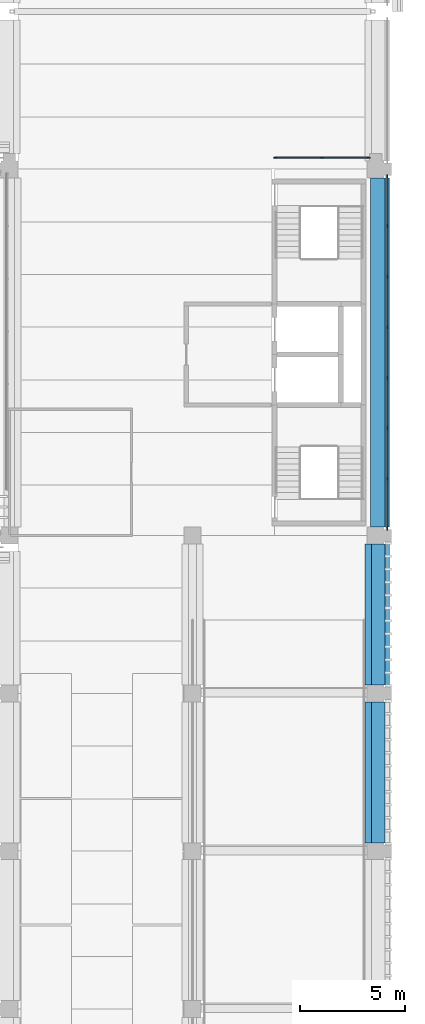
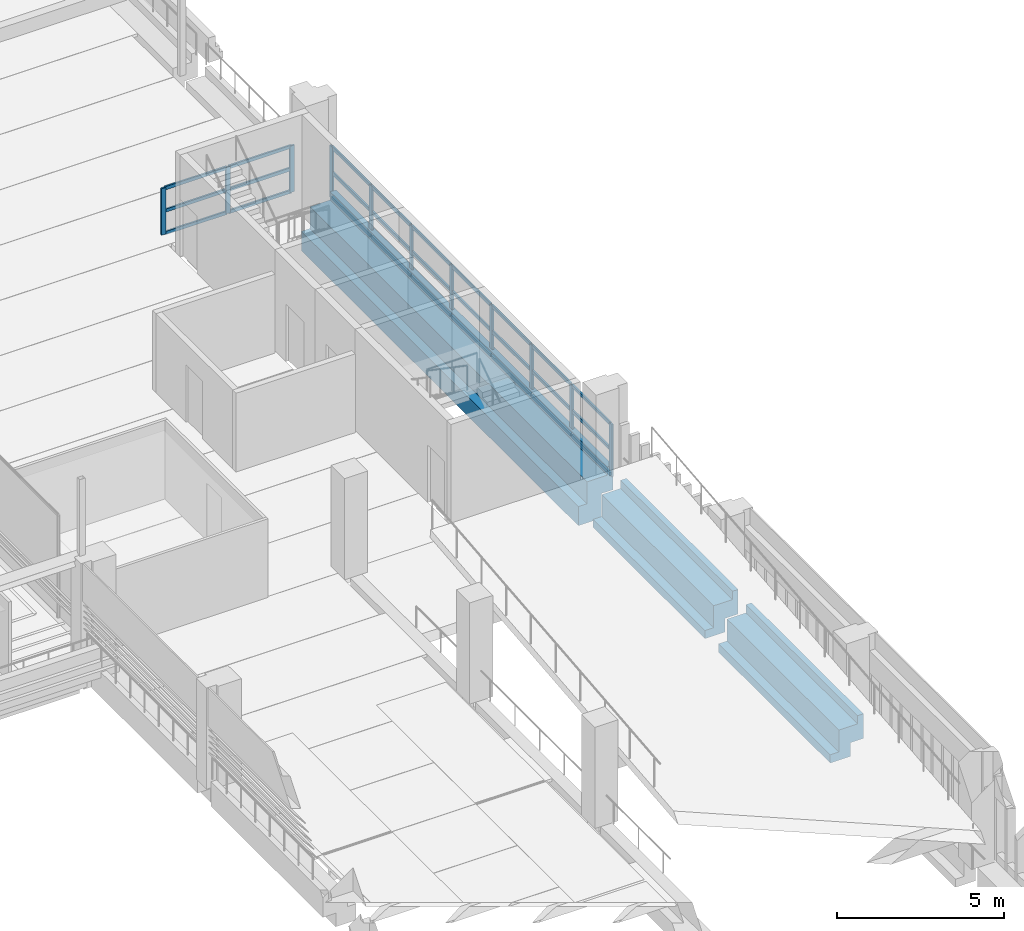
# One storey, part 27 of 62: 38 members, 3 beams, 2 elements without a shape of their own.
"""IFC4 building model written with IfcOpenShell, lengths in metres."""

from ifc_helpers import new_model, si_unit, direction, frame, origin, origin_2d, place, context, subcontext, project, spatial, polyline, rectangle, outline, extrude, material, layer, layer_set, material_profile, profile_set, type_object, element, aggregate, save


model = new_model("IFC4")

# Units and contexts
model_context = context("Model", 3, precision=1e-05, world=origin(), true_north=direction((0.0, 1.0)))
body_context = subcontext(model_context, "Body", "Model", "MODEL_VIEW")
ifc_project = project(units=[si_unit("LENGTHUNIT", "METRE"), si_unit("AREAUNIT", "SQUARE_METRE"), si_unit("VOLUMEUNIT", "CUBIC_METRE"), si_unit("PLANEANGLEUNIT", "RADIAN"), si_unit("MASSUNIT", "GRAM", prefix="KILO")], contexts=[model_context])

# Site, building, storey
site_placement = place(None, origin())
site = spatial("IfcSite", under=ifc_project, at=site_placement, CompositionType="ELEMENT")
building_placement = place(site_placement, origin())
building = spatial("IfcBuilding", under=site, at=building_placement, Name="Cour d'Honneur Mobility Palace", CompositionType="ELEMENT")
storey_placement = place(building_placement, frame((0.0, 0.0, 19.300048828125)))
storey = spatial("IfcBuildingStorey", under=building, at=storey_placement, Name="L05", CompositionType="ELEMENT", Elevation=19.300048828125)

# Curtain wall, members
ifc_material_1 = material(Name="Aluminium and glass", Category="aluminium")
ifc_layer = layer(ifc_material_1, 0.10009765625)
ifc_layer_set = layer_set([ifc_layer], Name="Aluminium and glass")
curtain_wall_type = type_object("IfcCurtainWallType", Name="Curtain wall run", PredefinedType="NOTDEFINED", material=ifc_layer_set)
curtain_wall_1_placement = place(storey_placement, origin())
curtain_wall_1 = element("IfcCurtainWall", 1, at=curtain_wall_1_placement, inside=storey, type_object=curtain_wall_type, Name="Curtain wall CW-91", PredefinedType="NOTDEFINED")
ifc_material_2 = material(Name="Aluminium", Category="aluminium")
ifc_material_profile_1 = material_profile(ifc_material_2, rectangle(XDim=0.06005859375, YDim=0.159912109375, at=origin_2d()), Name="Curtain wall mullion")
ifc_profile_set_1 = profile_set([ifc_material_profile_1], Name="Aluminium")
member_type_1 = type_object("IfcMemberType", Name="Curtain wall mullion", PredefinedType="MULLION", material=ifc_profile_set_1)
member_1_placement = place(storey_placement, frame((162.85009765625, 45.330078125, 0.0), z_axis=(0.0, 0.0, 1.0), x_axis=(-1.0, 0.0, 0.0)))
member_1 = element("IfcMember", 2, at=member_1_placement, type_object=member_type_1, Name="CW-91 mullion 1", PredefinedType="MULLION", context=body_context, shape_type="SweptSolid", body=[
    extrude(rectangle(XDim=0.06005859375, YDim=0.159912109375, at=origin_2d()), origin(), (0.0, 0.0, 1.0), 1.89990234375),
])
member_2_placement = place(storey_placement, frame((162.85009765625, 47.699951171875, 0.0), z_axis=(0.0, 0.0, 1.0), x_axis=(-1.0, 0.0, 0.0)))
member_2 = element("IfcMember", 3, at=member_2_placement, type_object=member_type_1, Name="CW-91 mullion 2", PredefinedType="MULLION", context=body_context, shape_type="SweptSolid", body=[
    extrude(rectangle(XDim=0.06005859375, YDim=0.159912109375, at=origin_2d()), origin(), (0.0, 0.0, 1.0), 1.89990234375),
])
member_3_placement = place(storey_placement, frame((162.85009765625, 50.10009765625, 0.0), z_axis=(0.0, 0.0, 1.0), x_axis=(-1.0, 0.0, 0.0)))
member_3 = element("IfcMember", 4, at=member_3_placement, type_object=member_type_1, Name="CW-91 mullion 3", PredefinedType="MULLION", context=body_context, shape_type="SweptSolid", body=[
    extrude(rectangle(XDim=0.06005859375, YDim=0.159912109375, at=origin_2d()), origin(), (0.0, 0.0, 1.0), 1.89990234375),
])
member_4_placement = place(storey_placement, frame((162.85009765625, 52.5, 0.0), z_axis=(0.0, 0.0, 1.0), x_axis=(-1.0, 0.0, 0.0)))
member_4 = element("IfcMember", 5, at=member_4_placement, type_object=member_type_1, Name="CW-91 mullion 4", PredefinedType="MULLION", context=body_context, shape_type="SweptSolid", body=[
    extrude(rectangle(XDim=0.06005859375, YDim=0.159912109375, at=origin_2d()), origin(), (0.0, 0.0, 1.0), 1.89990234375),
])
member_5_placement = place(storey_placement, frame((162.85009765625, 54.89990234375, 0.0), z_axis=(0.0, 0.0, 1.0), x_axis=(-1.0, 0.0, 0.0)))
member_5 = element("IfcMember", 6, at=member_5_placement, type_object=member_type_1, Name="CW-91 mullion 5", PredefinedType="MULLION", context=body_context, shape_type="SweptSolid", body=[
    extrude(rectangle(XDim=0.06005859375, YDim=0.159912109375, at=origin_2d()), origin(), (0.0, 0.0, 1.0), 1.89990234375),
])
member_6_placement = place(storey_placement, frame((162.85009765625, 57.300048828125, 0.0), z_axis=(0.0, 0.0, 1.0), x_axis=(-1.0, 0.0, 0.0)))
member_6 = element("IfcMember", 7, at=member_6_placement, type_object=member_type_1, Name="CW-91 mullion 6", PredefinedType="MULLION", context=body_context, shape_type="SweptSolid", body=[
    extrude(rectangle(XDim=0.06005859375, YDim=0.159912109375, at=origin_2d()), origin(), (0.0, 0.0, 1.0), 1.89990234375),
])
member_7_placement = place(storey_placement, frame((162.85009765625, 59.699951171875, 0.0), z_axis=(0.0, 0.0, 1.0), x_axis=(-1.0, 0.0, 0.0)))
member_7 = element("IfcMember", 8, at=member_7_placement, type_object=member_type_1, Name="CW-91 mullion 7", PredefinedType="MULLION", context=body_context, shape_type="SweptSolid", body=[
    extrude(rectangle(XDim=0.06005859375, YDim=0.159912109375, at=origin_2d()), origin(), (0.0, 0.0, 1.0), 1.89990234375),
])
member_8_placement = place(storey_placement, frame((162.85009765625, 62.070068359375, 0.0), z_axis=(0.0, 0.0, 1.0), x_axis=(-1.0, 0.0, 0.0)))
member_8 = element("IfcMember", 9, at=member_8_placement, type_object=member_type_1, Name="CW-91 mullion 8", PredefinedType="MULLION", context=body_context, shape_type="SweptSolid", body=[
    extrude(rectangle(XDim=0.06005859375, YDim=0.159912109375, at=origin_2d()), origin(), (0.0, 0.0, 1.0), 1.89990234375),
])

curtain_wall_2_placement = place(storey_placement, origin())
curtain_wall_2 = element("IfcCurtainWall", 10, at=curtain_wall_2_placement, inside=storey, type_object=curtain_wall_type, Name="Curtain wall CW-92", PredefinedType="NOTDEFINED")
member_9_placement = place(storey_placement, frame((161.969970703125, 62.949951171875, 0.0), z_axis=(0.0, 0.0, 1.0), x_axis=(0.0, -1.0, 0.0)))
member_9 = element("IfcMember", 11, at=member_9_placement, type_object=member_type_1, Name="CW-92 mullion 1", PredefinedType="MULLION", context=body_context, shape_type="SweptSolid", body=[
    extrude(rectangle(XDim=0.06005859375, YDim=0.159912109375, at=origin_2d()), origin(), (0.0, 0.0, 1.0), 1.699951171875),
])
member_10_placement = place(storey_placement, frame((159.75, 62.949951171875, 0.0), z_axis=(0.0, 0.0, 1.0), x_axis=(0.0, -1.0, 0.0)))
member_10 = element("IfcMember", 12, at=member_10_placement, type_object=member_type_1, Name="CW-92 mullion 2", PredefinedType="MULLION", context=body_context, shape_type="SweptSolid", body=[
    extrude(rectangle(XDim=0.06005859375, YDim=0.159912109375, at=origin_2d()), origin(), (0.0, 0.0, 1.0), 1.699951171875),
])
member_11_placement = place(storey_placement, frame((157.530029296875, 62.949951171875, 0.0), z_axis=(0.0, 0.0, 1.0), x_axis=(0.0, -1.0, 0.0)))
member_11 = element("IfcMember", 13, at=member_11_placement, type_object=member_type_1, Name="CW-92 mullion 3", PredefinedType="MULLION", context=body_context, shape_type="SweptSolid", body=[
    extrude(rectangle(XDim=0.06005859375, YDim=0.159912109375, at=origin_2d()), origin(), (0.0, 0.0, 1.0), 1.699951171875),
])

# Member
ifc_material_3 = material(Name="Aluminium", Category="aluminium")
ifc_material_profile_2 = material_profile(ifc_material_3, rectangle(XDim=0.06005859375, YDim=0.1201171875, at=origin_2d()), Name="Curtain wall transom")
ifc_profile_set_2 = profile_set([ifc_material_profile_2], Name="Aluminium")
member_type_2 = type_object("IfcMemberType", Name="Curtain wall transom", PredefinedType="USERDEFINED", material=ifc_profile_set_2)
member_12_placement = place(storey_placement, frame((162.85009765625, 45.360107421875, 0.030029296875), z_axis=(0.0, 1.0, 0.0), x_axis=(-1.0, 0.0, 0.0)))
member_12 = element("IfcMember", 14, at=member_12_placement, type_object=member_type_2, Name="CW-91 transom 1.1", ObjectType="TRANSOM", PredefinedType="USERDEFINED", context=body_context, shape_type="SweptSolid", body=[
    extrude(rectangle(XDim=0.06005859375, YDim=0.1201171875, at=origin_2d()), origin(), (0.0, 0.0, 1.0), 2.309814453125),
])

member_13_placement = place(storey_placement, frame((162.85009765625, 45.360107421875, 0.949951171875), z_axis=(0.0, 1.0, 0.0), x_axis=(-1.0, 0.0, 0.0)))
member_13 = element("IfcMember", 15, at=member_13_placement, type_object=member_type_2, Name="CW-91 transom 1.2", ObjectType="TRANSOM", PredefinedType="USERDEFINED", context=body_context, shape_type="SweptSolid", body=[
    extrude(rectangle(XDim=0.06005859375, YDim=0.1201171875, at=origin_2d()), origin(), (0.0, 0.0, 1.0), 2.309814453125),
])

member_14_placement = place(storey_placement, frame((162.85009765625, 45.360107421875, 1.869873046875), z_axis=(0.0, 1.0, 0.0), x_axis=(-1.0, 0.0, 0.0)))
member_14 = element("IfcMember", 16, at=member_14_placement, type_object=member_type_2, Name="CW-91 transom 1.3", ObjectType="TRANSOM", PredefinedType="USERDEFINED", context=body_context, shape_type="SweptSolid", body=[
    extrude(rectangle(XDim=0.06005859375, YDim=0.1201171875, at=origin_2d()), origin(), (0.0, 0.0, 1.0), 2.309814453125),
])

member_15_placement = place(storey_placement, frame((162.85009765625, 47.72998046875, 0.030029296875), z_axis=(0.0, 1.0, 0.0), x_axis=(-1.0, 0.0, 0.0)))
member_15 = element("IfcMember", 17, at=member_15_placement, type_object=member_type_2, Name="CW-91 transom 2.1", ObjectType="TRANSOM", PredefinedType="USERDEFINED", context=body_context, shape_type="SweptSolid", body=[
    extrude(rectangle(XDim=0.06005859375, YDim=0.1201171875, at=origin_2d()), origin(), (0.0, 0.0, 1.0), 2.340087890625),
])

member_16_placement = place(storey_placement, frame((162.85009765625, 47.72998046875, 0.949951171875), z_axis=(0.0, 1.0, 0.0), x_axis=(-1.0, 0.0, 0.0)))
member_16 = element("IfcMember", 18, at=member_16_placement, type_object=member_type_2, Name="CW-91 transom 2.2", ObjectType="TRANSOM", PredefinedType="USERDEFINED", context=body_context, shape_type="SweptSolid", body=[
    extrude(rectangle(XDim=0.06005859375, YDim=0.1201171875, at=origin_2d()), origin(), (0.0, 0.0, 1.0), 2.340087890625),
])

member_17_placement = place(storey_placement, frame((162.85009765625, 47.72998046875, 1.869873046875), z_axis=(0.0, 1.0, 0.0), x_axis=(-1.0, 0.0, 0.0)))
member_17 = element("IfcMember", 19, at=member_17_placement, type_object=member_type_2, Name="CW-91 transom 2.3", ObjectType="TRANSOM", PredefinedType="USERDEFINED", context=body_context, shape_type="SweptSolid", body=[
    extrude(rectangle(XDim=0.06005859375, YDim=0.1201171875, at=origin_2d()), origin(), (0.0, 0.0, 1.0), 2.340087890625),
])

member_18_placement = place(storey_placement, frame((162.85009765625, 50.1298828125, 0.030029296875), z_axis=(0.0, 1.0, 0.0), x_axis=(-1.0, 0.0, 0.0)))
member_18 = element("IfcMember", 20, at=member_18_placement, type_object=member_type_2, Name="CW-91 transom 3.1", ObjectType="TRANSOM", PredefinedType="USERDEFINED", context=body_context, shape_type="SweptSolid", body=[
    extrude(rectangle(XDim=0.06005859375, YDim=0.1201171875, at=origin_2d()), origin(), (0.0, 0.0, 1.0), 2.340087890625),
])

member_19_placement = place(storey_placement, frame((162.85009765625, 50.1298828125, 0.949951171875), z_axis=(0.0, 1.0, 0.0), x_axis=(-1.0, 0.0, 0.0)))
member_19 = element("IfcMember", 21, at=member_19_placement, type_object=member_type_2, Name="CW-91 transom 3.2", ObjectType="TRANSOM", PredefinedType="USERDEFINED", context=body_context, shape_type="SweptSolid", body=[
    extrude(rectangle(XDim=0.06005859375, YDim=0.1201171875, at=origin_2d()), origin(), (0.0, 0.0, 1.0), 2.340087890625),
])

member_20_placement = place(storey_placement, frame((162.85009765625, 50.1298828125, 1.869873046875), z_axis=(0.0, 1.0, 0.0), x_axis=(-1.0, 0.0, 0.0)))
member_20 = element("IfcMember", 22, at=member_20_placement, type_object=member_type_2, Name="CW-91 transom 3.3", ObjectType="TRANSOM", PredefinedType="USERDEFINED", context=body_context, shape_type="SweptSolid", body=[
    extrude(rectangle(XDim=0.06005859375, YDim=0.1201171875, at=origin_2d()), origin(), (0.0, 0.0, 1.0), 2.340087890625),
])

member_21_placement = place(storey_placement, frame((162.85009765625, 52.530029296875, 0.030029296875), z_axis=(0.0, 1.0, 0.0), x_axis=(-1.0, 0.0, 0.0)))
member_21 = element("IfcMember", 23, at=member_21_placement, type_object=member_type_2, Name="CW-91 transom 4.1", ObjectType="TRANSOM", PredefinedType="USERDEFINED", context=body_context, shape_type="SweptSolid", body=[
    extrude(rectangle(XDim=0.06005859375, YDim=0.1201171875, at=origin_2d()), origin(), (0.0, 0.0, 1.0), 2.340087890625),
])

member_22_placement = place(storey_placement, frame((162.85009765625, 52.530029296875, 0.949951171875), z_axis=(0.0, 1.0, 0.0), x_axis=(-1.0, 0.0, 0.0)))
member_22 = element("IfcMember", 24, at=member_22_placement, type_object=member_type_2, Name="CW-91 transom 4.2", ObjectType="TRANSOM", PredefinedType="USERDEFINED", context=body_context, shape_type="SweptSolid", body=[
    extrude(rectangle(XDim=0.06005859375, YDim=0.1201171875, at=origin_2d()), origin(), (0.0, 0.0, 1.0), 2.340087890625),
])

member_23_placement = place(storey_placement, frame((162.85009765625, 52.530029296875, 1.869873046875), z_axis=(0.0, 1.0, 0.0), x_axis=(-1.0, 0.0, 0.0)))
member_23 = element("IfcMember", 25, at=member_23_placement, type_object=member_type_2, Name="CW-91 transom 4.3", ObjectType="TRANSOM", PredefinedType="USERDEFINED", context=body_context, shape_type="SweptSolid", body=[
    extrude(rectangle(XDim=0.06005859375, YDim=0.1201171875, at=origin_2d()), origin(), (0.0, 0.0, 1.0), 2.340087890625),
])

member_24_placement = place(storey_placement, frame((162.85009765625, 54.929931640625, 0.030029296875), z_axis=(0.0, 1.0, 0.0), x_axis=(-1.0, 0.0, 0.0)))
member_24 = element("IfcMember", 26, at=member_24_placement, type_object=member_type_2, Name="CW-91 transom 5.1", ObjectType="TRANSOM", PredefinedType="USERDEFINED", context=body_context, shape_type="SweptSolid", body=[
    extrude(rectangle(XDim=0.06005859375, YDim=0.1201171875, at=origin_2d()), origin(), (0.0, 0.0, 1.0), 2.340087890625),
])

member_25_placement = place(storey_placement, frame((162.85009765625, 54.929931640625, 0.949951171875), z_axis=(0.0, 1.0, 0.0), x_axis=(-1.0, 0.0, 0.0)))
member_25 = element("IfcMember", 27, at=member_25_placement, type_object=member_type_2, Name="CW-91 transom 5.2", ObjectType="TRANSOM", PredefinedType="USERDEFINED", context=body_context, shape_type="SweptSolid", body=[
    extrude(rectangle(XDim=0.06005859375, YDim=0.1201171875, at=origin_2d()), origin(), (0.0, 0.0, 1.0), 2.340087890625),
])

member_26_placement = place(storey_placement, frame((162.85009765625, 54.929931640625, 1.869873046875), z_axis=(0.0, 1.0, 0.0), x_axis=(-1.0, 0.0, 0.0)))
member_26 = element("IfcMember", 28, at=member_26_placement, type_object=member_type_2, Name="CW-91 transom 5.3", ObjectType="TRANSOM", PredefinedType="USERDEFINED", context=body_context, shape_type="SweptSolid", body=[
    extrude(rectangle(XDim=0.06005859375, YDim=0.1201171875, at=origin_2d()), origin(), (0.0, 0.0, 1.0), 2.340087890625),
])

member_27_placement = place(storey_placement, frame((162.85009765625, 57.330078125, 0.030029296875), z_axis=(0.0, 1.0, 0.0), x_axis=(-1.0, 0.0, 0.0)))
member_27 = element("IfcMember", 29, at=member_27_placement, type_object=member_type_2, Name="CW-91 transom 6.1", ObjectType="TRANSOM", PredefinedType="USERDEFINED", context=body_context, shape_type="SweptSolid", body=[
    extrude(rectangle(XDim=0.06005859375, YDim=0.1201171875, at=origin_2d()), origin(), (0.0, 0.0, 1.0), 2.33984375),
])

member_28_placement = place(storey_placement, frame((162.85009765625, 57.330078125, 0.949951171875), z_axis=(0.0, 1.0, 0.0), x_axis=(-1.0, 0.0, 0.0)))
member_28 = element("IfcMember", 30, at=member_28_placement, type_object=member_type_2, Name="CW-91 transom 6.2", ObjectType="TRANSOM", PredefinedType="USERDEFINED", context=body_context, shape_type="SweptSolid", body=[
    extrude(rectangle(XDim=0.06005859375, YDim=0.1201171875, at=origin_2d()), origin(), (0.0, 0.0, 1.0), 2.33984375),
])

member_29_placement = place(storey_placement, frame((162.85009765625, 57.330078125, 1.869873046875), z_axis=(0.0, 1.0, 0.0), x_axis=(-1.0, 0.0, 0.0)))
member_29 = element("IfcMember", 31, at=member_29_placement, type_object=member_type_2, Name="CW-91 transom 6.3", ObjectType="TRANSOM", PredefinedType="USERDEFINED", context=body_context, shape_type="SweptSolid", body=[
    extrude(rectangle(XDim=0.06005859375, YDim=0.1201171875, at=origin_2d()), origin(), (0.0, 0.0, 1.0), 2.33984375),
])

member_30_placement = place(storey_placement, frame((162.85009765625, 59.72998046875, 0.030029296875), z_axis=(0.0, 1.0, 0.0), x_axis=(-1.0, 0.0, 0.0)))
member_30 = element("IfcMember", 32, at=member_30_placement, type_object=member_type_2, Name="CW-91 transom 7.1", ObjectType="TRANSOM", PredefinedType="USERDEFINED", context=body_context, shape_type="SweptSolid", body=[
    extrude(rectangle(XDim=0.06005859375, YDim=0.1201171875, at=origin_2d()), origin(), (0.0, 0.0, 1.0), 2.31005859375),
])

member_31_placement = place(storey_placement, frame((162.85009765625, 59.72998046875, 0.949951171875), z_axis=(0.0, 1.0, 0.0), x_axis=(-1.0, 0.0, 0.0)))
member_31 = element("IfcMember", 33, at=member_31_placement, type_object=member_type_2, Name="CW-91 transom 7.2", ObjectType="TRANSOM", PredefinedType="USERDEFINED", context=body_context, shape_type="SweptSolid", body=[
    extrude(rectangle(XDim=0.06005859375, YDim=0.1201171875, at=origin_2d()), origin(), (0.0, 0.0, 1.0), 2.31005859375),
])

member_32_placement = place(storey_placement, frame((162.85009765625, 59.72998046875, 1.869873046875), z_axis=(0.0, 1.0, 0.0), x_axis=(-1.0, 0.0, 0.0)))
member_32 = element("IfcMember", 34, at=member_32_placement, type_object=member_type_2, Name="CW-91 transom 7.3", ObjectType="TRANSOM", PredefinedType="USERDEFINED", context=body_context, shape_type="SweptSolid", body=[
    extrude(rectangle(XDim=0.06005859375, YDim=0.1201171875, at=origin_2d()), origin(), (0.0, 0.0, 1.0), 2.31005859375),
])

aggregate(curtain_wall_1, [member_1, member_2, member_3, member_4, member_5, member_6, member_7, member_8, member_12, member_13, member_14, member_15, member_16, member_17, member_18, member_19, member_20, member_21, member_22, member_23, member_24, member_25, member_26, member_27, member_28, member_29, member_30, member_31, member_32])

member_33_placement = place(storey_placement, frame((161.93994140625, 62.949951171875, 0.030029296875), z_axis=(-1.0, 0.0, 0.0), x_axis=(0.0, -1.0, 0.0)))
member_33 = element("IfcMember", 35, at=member_33_placement, type_object=member_type_2, Name="CW-92 transom 1.1", ObjectType="TRANSOM", PredefinedType="USERDEFINED", context=body_context, shape_type="SweptSolid", body=[
    extrude(rectangle(XDim=0.06005859375, YDim=0.1201171875, at=origin_2d()), origin(), (0.0, 0.0, 1.0), 2.159912109375),
])

member_34_placement = place(storey_placement, frame((161.93994140625, 62.949951171875, 0.849853515625), z_axis=(-1.0, 0.0, 0.0), x_axis=(0.0, -1.0, 0.0)))
member_34 = element("IfcMember", 36, at=member_34_placement, type_object=member_type_2, Name="CW-92 transom 1.2", ObjectType="TRANSOM", PredefinedType="USERDEFINED", context=body_context, shape_type="SweptSolid", body=[
    extrude(rectangle(XDim=0.06005859375, YDim=0.1201171875, at=origin_2d()), origin(), (0.0, 0.0, 1.0), 2.159912109375),
])

member_35_placement = place(storey_placement, frame((161.93994140625, 62.949951171875, 1.669921875), z_axis=(-1.0, 0.0, 0.0), x_axis=(0.0, -1.0, 0.0)))
member_35 = element("IfcMember", 37, at=member_35_placement, type_object=member_type_2, Name="CW-92 transom 1.3", ObjectType="TRANSOM", PredefinedType="USERDEFINED", context=body_context, shape_type="SweptSolid", body=[
    extrude(rectangle(XDim=0.06005859375, YDim=0.1201171875, at=origin_2d()), origin(), (0.0, 0.0, 1.0), 2.159912109375),
])

member_36_placement = place(storey_placement, frame((159.719970703125, 62.949951171875, 0.030029296875), z_axis=(-1.0, 0.0, 0.0), x_axis=(0.0, -1.0, 0.0)))
member_36 = element("IfcMember", 38, at=member_36_placement, type_object=member_type_2, Name="CW-92 transom 2.1", ObjectType="TRANSOM", PredefinedType="USERDEFINED", context=body_context, shape_type="SweptSolid", body=[
    extrude(rectangle(XDim=0.06005859375, YDim=0.1201171875, at=origin_2d()), origin(), (0.0, 0.0, 1.0), 2.159912109375),
])

member_37_placement = place(storey_placement, frame((159.719970703125, 62.949951171875, 0.849853515625), z_axis=(-1.0, 0.0, 0.0), x_axis=(0.0, -1.0, 0.0)))
member_37 = element("IfcMember", 39, at=member_37_placement, type_object=member_type_2, Name="CW-92 transom 2.2", ObjectType="TRANSOM", PredefinedType="USERDEFINED", context=body_context, shape_type="SweptSolid", body=[
    extrude(rectangle(XDim=0.06005859375, YDim=0.1201171875, at=origin_2d()), origin(), (0.0, 0.0, 1.0), 2.159912109375),
])

member_38_placement = place(storey_placement, frame((159.719970703125, 62.949951171875, 1.669921875), z_axis=(-1.0, 0.0, 0.0), x_axis=(0.0, -1.0, 0.0)))
member_38 = element("IfcMember", 40, at=member_38_placement, type_object=member_type_2, Name="CW-92 transom 2.3", ObjectType="TRANSOM", PredefinedType="USERDEFINED", context=body_context, shape_type="SweptSolid", body=[
    extrude(rectangle(XDim=0.06005859375, YDim=0.1201171875, at=origin_2d()), origin(), (0.0, 0.0, 1.0), 2.159912109375),
])

aggregate(curtain_wall_2, [member_9, member_10, member_11, member_33, member_34, member_35, member_36, member_37, member_38])

# Beams
ifc_material_4 = material(Name="Concrete C45", Category="concrete")
ifc_material_profile_3 = material_profile(ifc_material_4, outline(polyline([(0.5, -1.10009765625), (0.5, -0.800048828125), (0.199951171875, -0.800048828125), (0.199951171875, 0.0), (-0.199951171875, 0.0), (-0.449951171875, 0.0), (-0.449951171875, 0.300048828125), (-0.64990234375, 0.300048828125), (-0.64990234375, -0.60009765625), (-0.199951171875, -0.60009765625), (-0.199951171875, -1.10009765625), (0.5, -1.10009765625)])), Name="Ledger Beam 400x1100 ledge left 300 facade right")
ifc_profile_set_3 = profile_set([ifc_material_profile_3], Name="Concrete C45")
beam_type_1 = type_object("IfcBeamType", Name="Ledger Beam 400x1100 ledge left 300 facade right", PredefinedType="BEAM", material=ifc_profile_set_3)
for number, where, z_axis, x_axis, name in (
    (41, (162.300048828125, 30.39990234375, 0.0), (0.0, 1.0, 0.0), (-1.0, 0.0, 0.0), "Precast beam B3 E-F L05"),
    (42, (162.300048828125, 37.89990234375, 0.0), (0.0, 1.0, 0.0), (-1.0, 0.0, 0.0), "Precast beam B3 F-G L05"),
):
    element("IfcBeam", number, at=place(storey_placement, frame(where, z_axis=z_axis, x_axis=x_axis)), inside=storey, type_object=beam_type_1, Name=name, PredefinedType="BEAM", context=body_context, shape_type="SweptSolid", body=[
        extrude(outline(polyline([(0.5, -1.10009765625), (0.5, -0.800048828125), (0.199951171875, -0.800048828125), (0.199951171875, 0.0), (-0.199951171875, 0.0), (-0.449951171875, 0.0), (-0.449951171875, 0.300048828125), (-0.64990234375, 0.300048828125), (-0.64990234375, -0.60009765625), (-0.199951171875, -0.60009765625), (-0.199951171875, -1.10009765625), (0.5, -1.10009765625)])), origin(), (0.0, 0.0, 1.0), 6.7001953125),
    ])
ifc_material_5 = material(Name="Concrete C45", Category="concrete")
ifc_material_profile_4 = material_profile(ifc_material_5, outline(polyline([(0.550048828125, -1.5), (0.550048828125, -0.800048828125), (0.25, -0.800048828125), (0.25, 0.0), (-0.25, 0.0), (-0.449951171875, 0.0), (-0.449951171875, 0.300048828125), (-0.64990234375, 0.300048828125), (-0.64990234375, -0.60009765625), (-0.25, -0.60009765625), (-0.25, -1.5), (0.550048828125, -1.5)])), Name="Ledger Beam 500x1500 ledge left 700 facade right")
ifc_profile_set_4 = profile_set([ifc_material_profile_4], Name="Concrete C45")
beam_type_2 = type_object("IfcBeamType", Name="Ledger Beam 500x1500 ledge left 700 facade right", PredefinedType="BEAM", material=ifc_profile_set_4)
beam_placement = place(storey_placement, frame((162.300048828125, 45.39990234375, 0.0), z_axis=(0.0, 1.0, 0.0), x_axis=(-1.0, 0.0, 0.0)))
element("IfcBeam", 43, at=beam_placement, inside=storey, type_object=beam_type_2, Name="Precast beam B21 G-H L05", PredefinedType="BEAM", context=body_context, shape_type="SweptSolid", body=[
    extrude(outline(polyline([(0.550048828125, -1.5), (0.550048828125, -0.800048828125), (0.25, -0.800048828125), (0.25, 0.0), (-0.25, 0.0), (-0.449951171875, 0.0), (-0.449951171875, 0.300048828125), (-0.64990234375, 0.300048828125), (-0.64990234375, -0.60009765625), (-0.25, -0.60009765625), (-0.25, -1.5), (0.550048828125, -1.5)])), origin(), (0.0, 0.0, 1.0), 16.60009765625),
])

save(model, "model.ifc")
